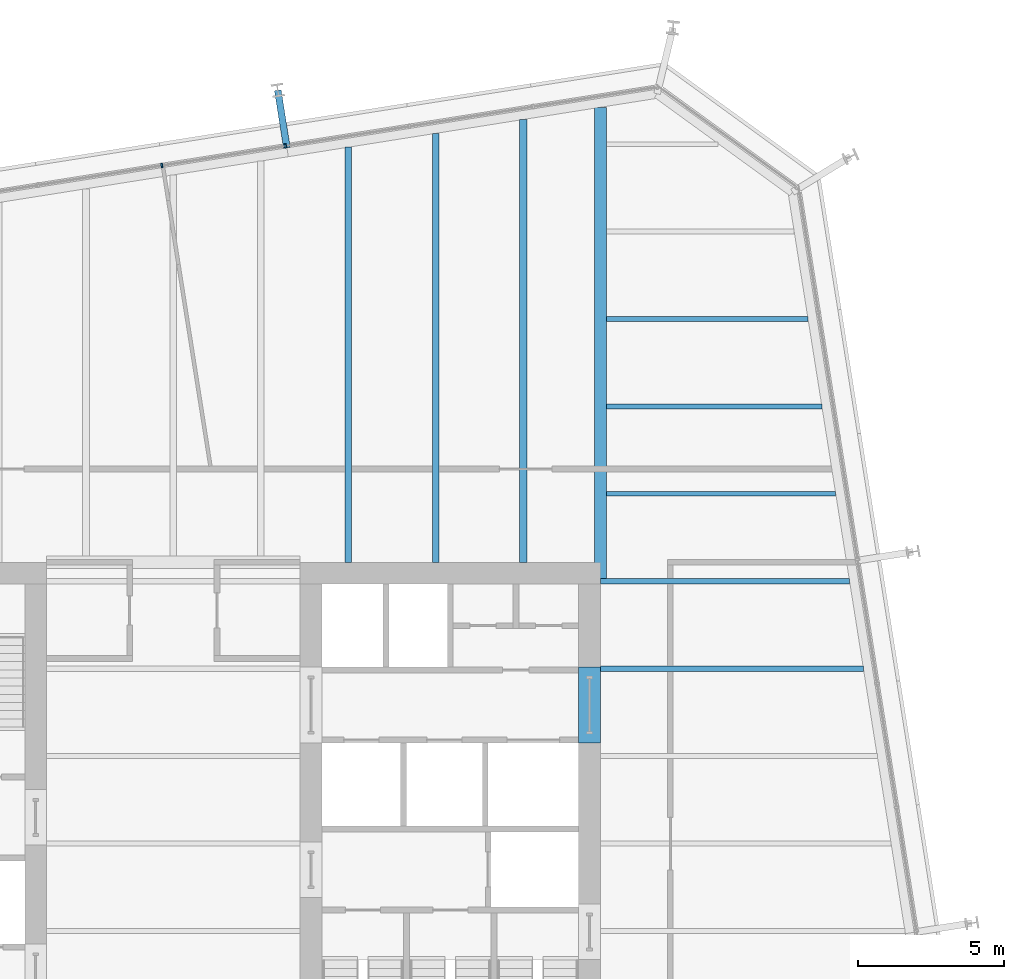
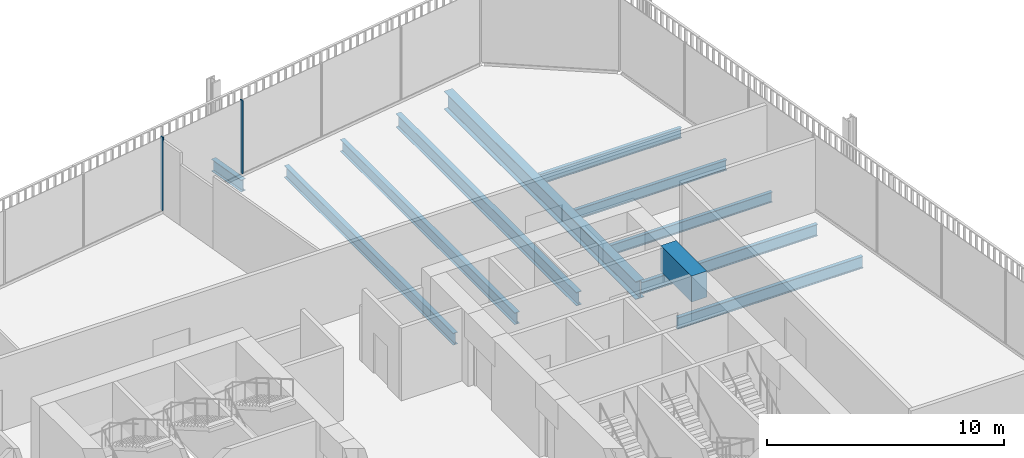
# One storey, part 13 of 21: 11 beams, 2 members, 1 element without a shape of its own.
"""IFC4 building model written with IfcOpenShell, lengths in metres."""

from ifc_helpers import new_model, si_unit, direction, frame, origin, origin_2d, place, context, subcontext, project, spatial, rectangle, i_section, extrude, material, layer, layer_set, material_profile, profile_set, type_object, element, aggregate, save


model = new_model("IFC4")

# Units and contexts
model_context = context("Model", 3, precision=1e-05, world=origin(), true_north=direction((0.0, 1.0)))
body_context = subcontext(model_context, "Body", "Model", "MODEL_VIEW")
ifc_project = project(units=[si_unit("LENGTHUNIT", "METRE"), si_unit("AREAUNIT", "SQUARE_METRE"), si_unit("VOLUMEUNIT", "CUBIC_METRE"), si_unit("PLANEANGLEUNIT", "RADIAN"), si_unit("MASSUNIT", "GRAM", prefix="KILO")], contexts=[model_context])

# Site, building, storey
site_placement = place(None, origin())
site = spatial("IfcSite", under=ifc_project, at=site_placement, CompositionType="ELEMENT")
building_placement = place(site_placement, origin())
building = spatial("IfcBuilding", under=site, at=building_placement, Name="Millrace Tower", CompositionType="ELEMENT")
storey_placement = place(building_placement, frame((0.0, 0.0, 164.60009765625)))
storey = spatial("IfcBuildingStorey", under=building, at=storey_placement, Name="L37", CompositionType="ELEMENT", Elevation=164.60009765625)

# Curtain wall, members
ifc_material_1 = material(Name="Aluminium and glass", Category="aluminium")
ifc_layer = layer(ifc_material_1, 0.14990234375)
ifc_layer_set = layer_set([ifc_layer], Name="Aluminium and glass")
curtain_wall_type = type_object("IfcCurtainWallType", Name="CW-1 office vision curtain wall", PredefinedType="NOTDEFINED", material=ifc_layer_set)
curtain_wall_placement = place(storey_placement, origin())
curtain_wall = element("IfcCurtainWall", 1, at=curtain_wall_placement, inside=storey, type_object=curtain_wall_type, Name="Curtain wall C-F06 L37", PredefinedType="NOTDEFINED")
ifc_material_2 = material(Name="Aluminium", Category="aluminium")
ifc_material_profile_1 = material_profile(ifc_material_2, rectangle(XDim=0.06494140625, YDim=0.14990234375, at=origin_2d()))
ifc_profile_set_1 = profile_set([ifc_material_profile_1], Name="Aluminium")
member_type = type_object("IfcMemberType", Name="CW-1 office vision curtain wall mullion", PredefinedType="MULLION", material=ifc_profile_set_1)
member_1_placement = place(storey_placement, frame((3.8505859375, 23.938720703125, 0.139892578125), z_axis=(0.0, 0.0, 1.0), x_axis=(-0.98768833929, -0.15643447328, 0.0)))
member_1 = element("IfcMember", 2, at=member_1_placement, type_object=member_type, Name="CW1 mullion C-F06.4", PredefinedType="MULLION", context=body_context, shape_type="SweptSolid", body=[
    extrude(rectangle(XDim=0.06494140625, YDim=0.14990234375, at=origin_2d()), origin(), (0.0, 0.0, 1.0), 3.760009765625),
])
member_2_placement = place(storey_placement, frame((-0.396484375, 23.26611328125, 0.139892578125), z_axis=(0.0, 0.0, 1.0), x_axis=(-0.98768833929, -0.15643447328, 0.0)))
member_2 = element("IfcMember", 3, at=member_2_placement, type_object=member_type, Name="CW1 mullion C-F06.5", PredefinedType="MULLION", context=body_context, shape_type="SweptSolid", body=[
    extrude(rectangle(XDim=0.06494140625, YDim=0.14990234375, at=origin_2d()), origin(), (0.0, 0.0, 1.0), 3.760009765625),
])
aggregate(curtain_wall, [member_1, member_2])

# Beams
ifc_material_3 = material(Name="Concrete C70", Category="concrete")
ifc_material_profile_2 = material_profile(ifc_material_3, rectangle(XDim=0.75, YDim=1.340087890625, at=origin_2d()))
ifc_profile_set_2 = profile_set([ifc_material_profile_2], Name="Concrete C70")
beam_type_1 = type_object("IfcBeamType", Name="Coupling beam 750 x 1340 Concrete C70, 2000 opening", PredefinedType="BEAM", material=ifc_profile_set_2)
beam_1_placement = place(storey_placement, frame((14.27490234375, 6.050048828125, 3.06982421875), z_axis=(0.0, -1.0, 0.0), x_axis=(1.0, 0.0, 0.0)))
element("IfcBeam", 4, at=beam_1_placement, inside=storey, type_object=beam_type_1, Name="Coupling beam E L37", PredefinedType="BEAM", context=body_context, shape_type="SweptSolid", body=[
    extrude(rectangle(XDim=0.75, YDim=1.340087890625, at=origin_2d()), origin(), (0.0, 0.0, 1.0), 2.60009765625),
])
ifc_material_4 = material(Name="Steel ASTM A992 Grade 50", Category="steel")
ifc_material_profile_3 = material_profile(ifc_material_4, i_section(OverallWidth=0.1650390625, OverallDepth=0.52587890625, WebThickness=0.0087890625, FlangeThickness=0.011474609375, FilletRadius=0.0126953125, at=origin_2d()))
ifc_profile_set_3 = profile_set([ifc_material_profile_3], Name="Steel ASTM A992 Grade 50")
beam_type_2 = type_object("IfcBeamType", Name="Floor beam W21x44", PredefinedType="JOIST", material=ifc_profile_set_3)
beam_2_placement = place(storey_placement, frame((14.859619140625, 12.0, -0.423095703125), z_axis=(1.0, 0.0, 0.0), x_axis=(0.0, 1.0, 0.0)))
element("IfcBeam", 5, at=beam_2_placement, inside=storey, type_object=beam_type_2, Name="BM-C-L37-S1-S032", PredefinedType="JOIST", context=body_context, shape_type="SweptSolid", body=[
    extrude(i_section(OverallWidth=0.1650390625, OverallDepth=0.52587890625, WebThickness=0.0087890625, FlangeThickness=0.011474609375, FilletRadius=0.0126953125, at=origin_2d()), origin(), (0.0, 0.0, 1.0), 7.8662109375),
])
beam_3_placement = place(storey_placement, frame((14.859619140625, 15.0, -0.423095703125), z_axis=(1.0, 0.0, 0.0), x_axis=(0.0, 1.0, 0.0)))
element("IfcBeam", 6, at=beam_3_placement, inside=storey, type_object=beam_type_2, Name="BM-C-L37-S1-S034", PredefinedType="JOIST", context=body_context, shape_type="SweptSolid", body=[
    extrude(i_section(OverallWidth=0.1650390625, OverallDepth=0.52587890625, WebThickness=0.0087890625, FlangeThickness=0.011474609375, FilletRadius=0.0126953125, at=origin_2d()), origin(), (0.0, 0.0, 1.0), 7.390869140625),
])
beam_4_placement = place(storey_placement, frame((14.859619140625, 18.0, -0.423095703125), z_axis=(1.0, 0.0, 0.0), x_axis=(0.0, 1.0, 0.0)))
element("IfcBeam", 7, at=beam_4_placement, inside=storey, type_object=beam_type_2, Name="BM-C-L37-S1-S036", PredefinedType="JOIST", context=body_context, shape_type="SweptSolid", body=[
    extrude(i_section(OverallWidth=0.1650390625, OverallDepth=0.52587890625, WebThickness=0.0087890625, FlangeThickness=0.011474609375, FilletRadius=0.0126953125, at=origin_2d()), origin(), (0.0, 0.0, 1.0), 6.915771484375),
])
ifc_material_5 = material(Name="Steel ASTM A992 Grade 50", Category="steel")
ifc_material_profile_4 = material_profile(ifc_material_5, i_section(OverallWidth=0.177978515625, OverallDepth=0.599365234375, WebThickness=0.010009765625, FlangeThickness=0.012939453125, FilletRadius=0.012939453125, at=origin_2d()))
ifc_profile_set_4 = profile_set([ifc_material_profile_4], Name="Steel ASTM A992 Grade 50")
beam_type_3 = type_object("IfcBeamType", Name="Floor beam W24x55", PredefinedType="JOIST", material=ifc_profile_set_4)
beam_5_placement = place(storey_placement, frame((14.64990234375, 6.0, -0.459716796875), z_axis=(1.0, 0.0, 0.0), x_axis=(0.0, 1.0, 0.0)))
element("IfcBeam", 8, at=beam_5_placement, inside=storey, type_object=beam_type_3, Name="BM-C-L37-S1-S027", PredefinedType="JOIST", context=body_context, shape_type="SweptSolid", body=[
    extrude(i_section(OverallWidth=0.177978515625, OverallDepth=0.599365234375, WebThickness=0.010009765625, FlangeThickness=0.012939453125, FilletRadius=0.012939453125, at=origin_2d()), origin(), (0.0, 0.0, 1.0), 9.026123046875),
])
beam_6_placement = place(storey_placement, frame((14.64990234375, 9.0, -0.459716796875), z_axis=(1.0, 0.0, 0.0), x_axis=(0.0, 1.0, 0.0)))
element("IfcBeam", 9, at=beam_6_placement, inside=storey, type_object=beam_type_3, Name="BM-C-L37-S1-S030", PredefinedType="JOIST", context=body_context, shape_type="SweptSolid", body=[
    extrude(i_section(OverallWidth=0.177978515625, OverallDepth=0.599365234375, WebThickness=0.010009765625, FlangeThickness=0.012939453125, FilletRadius=0.012939453125, at=origin_2d()), origin(), (0.0, 0.0, 1.0), 8.551025390625),
])
ifc_material_6 = material(Name="Steel ASTM A992 Grade 50", Category="steel")
ifc_material_profile_5 = material_profile(ifc_material_6, i_section(OverallWidth=0.228271484375, OverallDepth=0.607177734375, WebThickness=0.01123046875, FlangeThickness=0.017333984375, FilletRadius=0.0126953125, at=origin_2d()))
ifc_profile_set_5 = profile_set([ifc_material_profile_5], Name="Steel ASTM A992 Grade 50")
beam_type_4 = type_object("IfcBeamType", Name="Floor beam W24x76", PredefinedType="JOIST", material=ifc_profile_set_5)
beam_7_placement = place(storey_placement, frame((6.0, 9.64990234375, -0.463623046875), z_axis=(0.0, 1.0, 0.0), x_axis=(-1.0, 0.0, 0.0)))
element("IfcBeam", 10, at=beam_7_placement, inside=storey, type_object=beam_type_4, Name="BM-C-L37-S1-S051", PredefinedType="JOIST", context=body_context, shape_type="SweptSolid", body=[
    extrude(i_section(OverallWidth=0.228271484375, OverallDepth=0.607177734375, WebThickness=0.01123046875, FlangeThickness=0.017333984375, FilletRadius=0.0126953125, at=origin_2d()), origin(), (0.0, 0.0, 1.0), 14.2421875),
])
beam_8_placement = place(storey_placement, frame((9.0, 9.64990234375, -0.463623046875), z_axis=(0.0, 1.0, 0.0), x_axis=(-1.0, 0.0, 0.0)))
element("IfcBeam", 11, at=beam_8_placement, inside=storey, type_object=beam_type_4, Name="BM-C-L37-S1-S053", PredefinedType="JOIST", context=body_context, shape_type="SweptSolid", body=[
    extrude(i_section(OverallWidth=0.228271484375, OverallDepth=0.607177734375, WebThickness=0.01123046875, FlangeThickness=0.017333984375, FilletRadius=0.0126953125, at=origin_2d()), origin(), (0.0, 0.0, 1.0), 14.71728515625),
])
ifc_material_7 = material(Name="Steel ASTM A992 Grade 50", Category="steel")
ifc_material_profile_6 = material_profile(ifc_material_7, i_section(OverallWidth=0.256591796875, OverallDepth=0.693359375, WebThickness=0.014404296875, FlangeThickness=0.023681640625, FilletRadius=0.01513671875, at=origin_2d()))
ifc_profile_set_6 = profile_set([ifc_material_profile_6], Name="Steel ASTM A992 Grade 50")
beam_type_5 = type_object("IfcBeamType", Name="Floor beam W27x114", PredefinedType="JOIST", material=ifc_profile_set_6)
beam_9_placement = place(storey_placement, frame((12.0, 9.64990234375, -0.5068359375), z_axis=(0.0, 1.0, 0.0), x_axis=(-1.0, 0.0, 0.0)))
element("IfcBeam", 12, at=beam_9_placement, inside=storey, type_object=beam_type_5, Name="BM-C-L37-S1-S055", PredefinedType="JOIST", context=body_context, shape_type="SweptSolid", body=[
    extrude(i_section(OverallWidth=0.256591796875, OverallDepth=0.693359375, WebThickness=0.014404296875, FlangeThickness=0.023681640625, FilletRadius=0.01513671875, at=origin_2d()), origin(), (0.0, 0.0, 1.0), 15.1923828125),
])
ifc_material_8 = material(Name="Steel ASTM A992 Grade 50", Category="steel")
ifc_material_profile_7 = material_profile(ifc_material_8, i_section(OverallWidth=0.419189453125, OverallDepth=0.927001953125, WebThickness=0.019287109375, FlangeThickness=0.031982421875, FilletRadius=0.024169921875, at=origin_2d()))
ifc_profile_set_7 = profile_set([ifc_material_profile_7], Name="Steel ASTM A992 Grade 50")
beam_type_6 = type_object("IfcBeamType", Name="Girder medium span W36x231", PredefinedType="BEAM", material=ifc_profile_set_7)
beam_10_placement = place(storey_placement, frame((14.64990234375, 9.090087890625, -0.62353515625), z_axis=(0.0, 1.0, 0.0), x_axis=(-1.0, 0.0, 0.0)))
element("IfcBeam", 13, at=beam_10_placement, inside=storey, type_object=beam_type_6, Name="BM-C-L37-S1-G059", PredefinedType="BEAM", context=body_context, shape_type="SweptSolid", body=[
    extrude(i_section(OverallWidth=0.419189453125, OverallDepth=0.927001953125, WebThickness=0.019287109375, FlangeThickness=0.031982421875, FilletRadius=0.024169921875, at=origin_2d()), origin(), (0.0, 0.0, 1.0), 16.1640625),
])
ifc_material_9 = material(Name="Steel ASTM A992 Grade 50", Category="steel")
ifc_material_profile_8 = material_profile(ifc_material_9, i_section(OverallWidth=0.23046875, OverallDepth=0.6171875, WebThickness=0.01318359375, FlangeThickness=0.022216796875, FilletRadius=0.012939453125, at=origin_2d()))
ifc_profile_set_8 = profile_set([ifc_material_profile_8], Name="Steel ASTM A992 Grade 50")
beam_type_7 = type_object("IfcBeamType", Name="Link beam W24x94", PredefinedType="BEAM", material=ifc_profile_set_8)
beam_11_placement = place(storey_placement, frame((3.894287109375, 23.86962890625, -0.46875), z_axis=(-0.15637629034, 0.987697552806, 0.0), x_axis=(-0.987697552806, -0.15637629034, 0.0)))
element("IfcBeam", 14, at=beam_11_placement, inside=storey, type_object=beam_type_7, Name="LNK-C-L37-S1-07", PredefinedType="BEAM", context=body_context, shape_type="SweptSolid", body=[
    extrude(i_section(OverallWidth=0.23046875, OverallDepth=0.6171875, WebThickness=0.01318359375, FlangeThickness=0.022216796875, FilletRadius=0.012939453125, at=origin_2d()), origin(), (0.0, 0.0, 1.0), 2.0),
])

save(model, "model.ifc")
